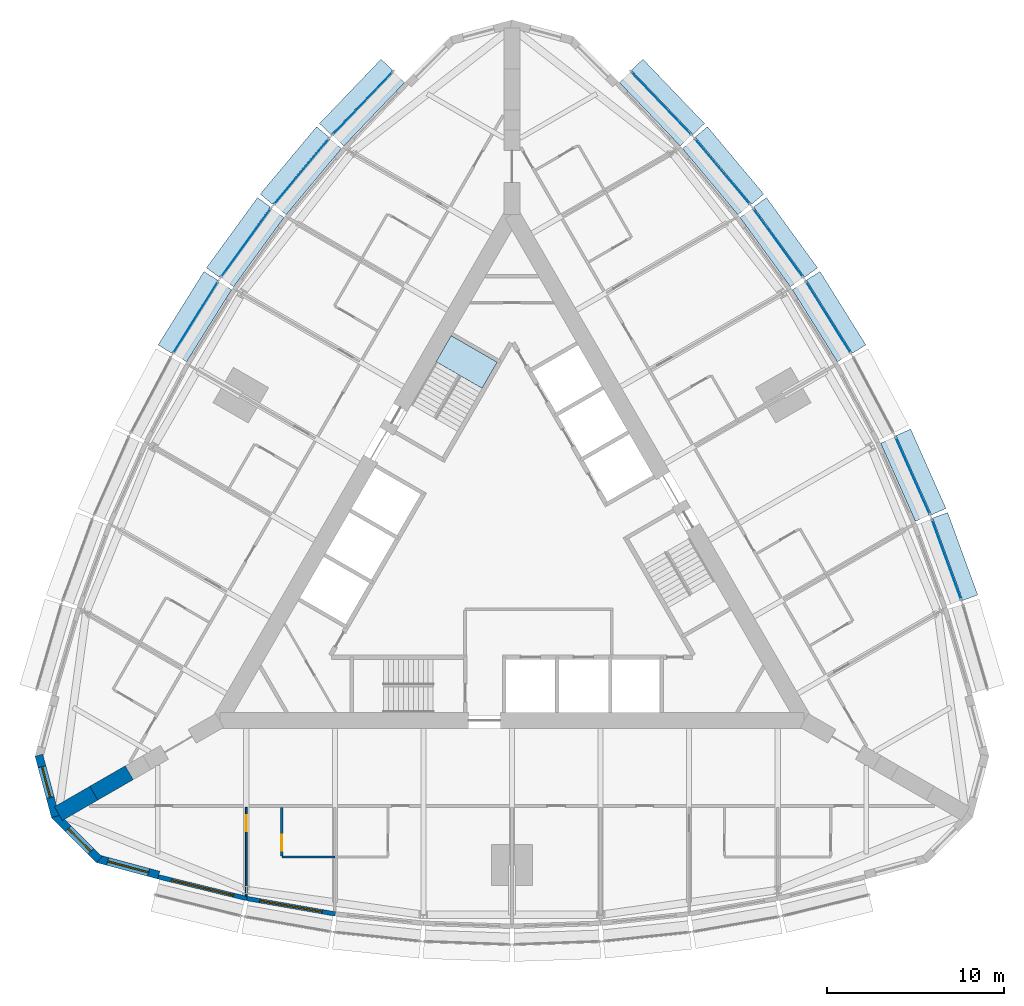
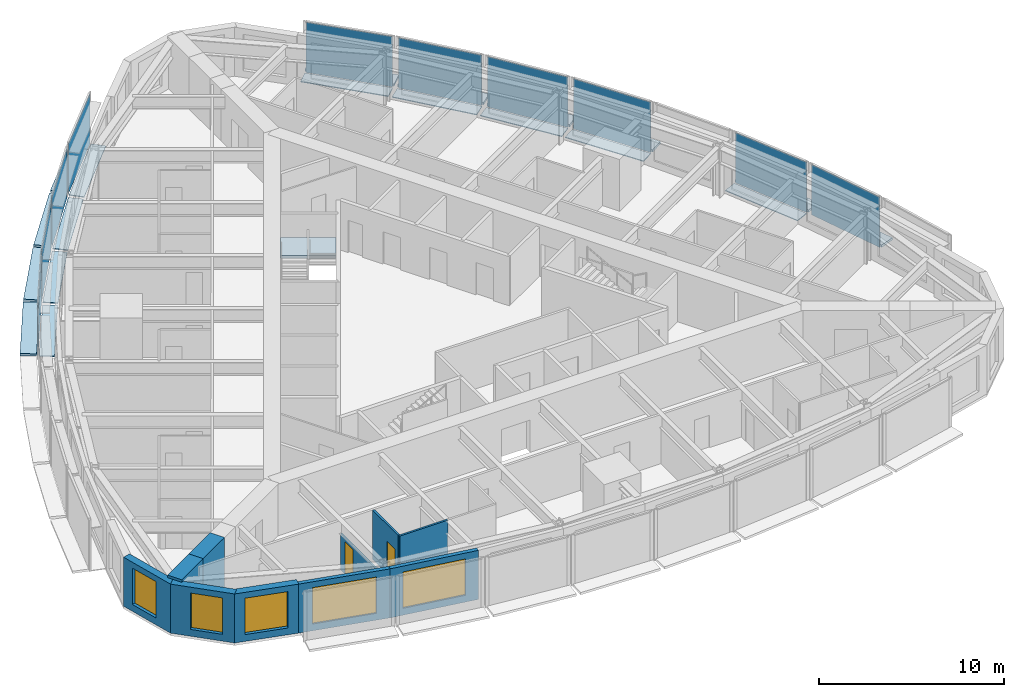
# One storey, part 7 of 14: 29 plates, 10 walls, 5 windows, 2 doors, 1 slab, 7 openings, 11 elements without a shape of their own.
"""IFC4 building model written with IfcOpenShell, lengths in metres."""

from ifc_helpers import new_model, si_unit, direction, frame, frame_2d, origin, origin_2d, place, context, subcontext, project, spatial, polyline, rectangle, outline, extrude, material, layer, layer_set, type_object, element, fill, aggregate, save


model = new_model("IFC4")

# Units and contexts
model_context = context("Model", 3, precision=1e-05, world=origin(), true_north=direction((0.0, 1.0)))
body_context = subcontext(model_context, "Body", "Model", "MODEL_VIEW")
ifc_project = project(units=[si_unit("LENGTHUNIT", "METRE"), si_unit("AREAUNIT", "SQUARE_METRE"), si_unit("VOLUMEUNIT", "CUBIC_METRE"), si_unit("PLANEANGLEUNIT", "RADIAN"), si_unit("MASSUNIT", "GRAM", prefix="KILO")], contexts=[model_context])

# Site, building, storey
site_placement = place(None, origin())
site = spatial("IfcSite", under=ifc_project, at=site_placement, CompositionType="ELEMENT")
building_placement = place(site_placement, origin())
building = spatial("IfcBuilding", under=site, at=building_placement, Name="Trikona Tower", CompositionType="ELEMENT")
storey_placement = place(building_placement, frame((0.0, 0.0, 182.699951171875)))
storey = spatial("IfcBuildingStorey", under=building, at=storey_placement, Name="L49", CompositionType="ELEMENT", Elevation=182.699951171875)

# Plates
ifc_material_1 = material(Name="Aluminium bar grating", Category="aluminium")
ifc_layer_1 = layer(ifc_material_1, 0.050048828125)
ifc_layer_set_1 = layer_set([ifc_layer_1], Name="Cavity catwalk grating")
plate_type_1 = type_object("IfcPlateType", Name="Cavity catwalk grating", PredefinedType="USERDEFINED", material=ifc_layer_set_1)
plate_1_placement = place(storey_placement, frame((22.175048828125, 4.092529296875, -0.0498046875), z_axis=(0.0, 0.0, 1.0), x_axis=(-0.406843467615, 0.913497888809, 0.0)))
element("IfcPlate", 1, at=plate_1_placement, inside=storey, type_object=plate_type_1, Name="Cavity catwalk L49-14", ObjectType="CATWALK GRATING", PredefinedType="USERDEFINED", context=body_context, shape_type="SweptSolid", body=[
    extrude(rectangle(XDim=4.827392578125, YDim=0.830078125, at=origin_2d()), origin(), (0.0, 0.0, 1.0), 0.050048828125),
])
plate_2_placement = place(storey_placement, frame((17.450927734375, 12.978759765625, -0.0498046875), z_axis=(0.0, 0.0, 1.0), x_axis=(-0.529994748414, 0.848000923734, 0.0)))
element("IfcPlate", 2, at=plate_2_placement, inside=storey, type_object=plate_type_1, Name="Cavity catwalk L49-16", ObjectType="CATWALK GRATING", PredefinedType="USERDEFINED", context=body_context, shape_type="SweptSolid", body=[
    extrude(rectangle(XDim=4.802978515625, YDim=0.830078125, at=origin_2d()), origin(), (0.0, 0.0, 1.0), 0.050048828125),
])
plate_3_placement = place(storey_placement, frame((14.6318359375, 17.157958984375, -0.0498046875), z_axis=(0.0, 0.0, 1.0), x_axis=(-0.587686407834, 0.809088799853, 0.0)))
element("IfcPlate", 3, at=plate_3_placement, inside=storey, type_object=plate_type_1, Name="Cavity catwalk L49-17", ObjectType="CATWALK GRATING", PredefinedType="USERDEFINED", context=body_context, shape_type="SweptSolid", body=[
    extrude(rectangle(XDim=4.827392578125, YDim=0.830078125, at=origin_2d()), origin(), (0.0, 0.0, 1.0), 0.050048828125),
])
plate_4_placement = place(storey_placement, frame((11.508056640625, 21.160400390625, -0.0498046875), z_axis=(0.0, 0.0, 1.0), x_axis=(-0.641807063101, 0.766866151133, 0.0)))
element("IfcPlate", 4, at=plate_4_placement, inside=storey, type_object=plate_type_1, Name="Cavity catwalk L49-18", ObjectType="CATWALK GRATING", PredefinedType="USERDEFINED", context=body_context, shape_type="SweptSolid", body=[
    extrude(rectangle(XDim=4.8759765625, YDim=0.830078125, at=origin_2d()), origin(), (0.0, 0.0, 1.0), 0.050048828125),
])
for number, where, z_axis, x_axis, name in (
    (5, (8.080078125, 24.986328125, -0.0498046875), (0.0, 0.0, 1.0), (-0.691723573819, 0.722162376078, 0.0), "Cavity catwalk L49-19"),
    (6, (-8.080078125, 24.986328125, -0.0498046875), (0.0, 0.0, 1.0), (-0.691723573819, -0.722162376078, 0.0), "Cavity catwalk L49-24"),
):
    element("IfcPlate", number, at=place(storey_placement, frame(where, z_axis=z_axis, x_axis=x_axis)), inside=storey, type_object=plate_type_1, Name=name, ObjectType="CATWALK GRATING", PredefinedType="USERDEFINED", context=body_context, shape_type="SweptSolid", body=[
        extrude(rectangle(XDim=4.947998046875, YDim=0.830078125, at=origin_2d()), origin(), (0.0, 0.0, 1.0), 0.050048828125),
    ])
plate_5_placement = place(storey_placement, frame((-11.508056640625, 21.160400390625, -0.0498046875), z_axis=(0.0, 0.0, 1.0), x_axis=(-0.641807063101, -0.766866151133, 0.0)))
element("IfcPlate", 7, at=plate_5_placement, inside=storey, type_object=plate_type_1, Name="Cavity catwalk L49-25", ObjectType="CATWALK GRATING", PredefinedType="USERDEFINED", context=body_context, shape_type="SweptSolid", body=[
    extrude(rectangle(XDim=4.8759765625, YDim=0.830078125, at=origin_2d()), origin(), (0.0, 0.0, 1.0), 0.050048828125),
])
plate_6_placement = place(storey_placement, frame((-14.6318359375, 17.157958984375, -0.0498046875), z_axis=(0.0, 0.0, 1.0), x_axis=(-0.587686407834, -0.809088799853, 0.0)))
element("IfcPlate", 8, at=plate_6_placement, inside=storey, type_object=plate_type_1, Name="Cavity catwalk L49-26", ObjectType="CATWALK GRATING", PredefinedType="USERDEFINED", context=body_context, shape_type="SweptSolid", body=[
    extrude(rectangle(XDim=4.827392578125, YDim=0.830078125, at=origin_2d()), origin(), (0.0, 0.0, 1.0), 0.050048828125),
])
plate_7_placement = place(storey_placement, frame((-17.450927734375, 12.978759765625, -0.0498046875), z_axis=(0.0, 0.0, 1.0), x_axis=(-0.529994748414, -0.848000923734, 0.0)))
element("IfcPlate", 9, at=plate_7_placement, inside=storey, type_object=plate_type_1, Name="Cavity catwalk L49-27", ObjectType="CATWALK GRATING", PredefinedType="USERDEFINED", context=body_context, shape_type="SweptSolid", body=[
    extrude(rectangle(XDim=4.802978515625, YDim=0.830078125, at=origin_2d()), origin(), (0.0, 0.0, 1.0), 0.050048828125),
])

# Curtain wall, plate
ifc_material_2 = material(Name="Aluminium curtain wall system", Category="aluminium")
curtain_wall_type = type_object("IfcCurtainWallType", Name="Curtain wall DS2", PredefinedType="NOTDEFINED", material=ifc_material_2)
curtain_wall_1_placement = place(storey_placement, origin())
curtain_wall_1 = element("IfcCurtainWall", 10, at=curtain_wall_1_placement, inside=storey, type_object=curtain_wall_type, Name="Curtain wall DS2 L49", PredefinedType="NOTDEFINED")
ifc_material_3 = material(Name="Laminated clear glass", Category="glass")
ifc_layer_2 = layer(ifc_material_3, 0.028076171875)
ifc_layer_set_2 = layer_set([ifc_layer_2], Name="Glass panel DS2")
plate_type_2 = type_object("IfcPlateType", Name="Glass panel DS2", PredefinedType="CURTAIN_PANEL", material=ifc_layer_set_2)
plate_8_placement = place(storey_placement, frame((24.53515625, -0.447509765625, 0.0), z_axis=(0.0, 0.0, 1.0), x_axis=(-0.343223420143, 0.939253790978, 0.0)))
plate_8 = element("IfcPlate", 11, at=plate_8_placement, type_object=plate_type_2, Name="CW-DS2 panel 1.1", PredefinedType="CURTAIN_PANEL", context=body_context, shape_type="SweptSolid", body=[
    extrude(rectangle(XDim=4.7958984375, YDim=0.028076171875, at=origin_2d()), origin(), (0.0, 0.0, 1.0), 3.320068359375),
])
aggregate(curtain_wall_1, [plate_8])

curtain_wall_2_placement = place(storey_placement, origin())
curtain_wall_2 = element("IfcCurtainWall", 12, at=curtain_wall_2_placement, inside=storey, type_object=curtain_wall_type, Name="Curtain wall DS2 L49", PredefinedType="NOTDEFINED")
plate_9_placement = place(storey_placement, frame((22.6181640625, 4.289794921875, 0.0), z_axis=(0.0, 0.0, 1.0), x_axis=(-0.406836013132, 0.913501208767, 0.0)))
plate_9 = element("IfcPlate", 13, at=plate_9_placement, type_object=plate_type_2, Name="CW-DS2 panel 1.1", PredefinedType="CURTAIN_PANEL", context=body_context, shape_type="SweptSolid", body=[
    extrude(rectangle(XDim=4.747314453125, YDim=0.028076171875, at=origin_2d()), origin(), (0.0, 0.0, 1.0), 3.320068359375),
])
aggregate(curtain_wall_2, [plate_9])

curtain_wall_3_placement = place(storey_placement, origin())
curtain_wall_3 = element("IfcCurtainWall", 14, at=curtain_wall_3_placement, inside=storey, type_object=curtain_wall_type, Name="Curtain wall DS2 L49", PredefinedType="NOTDEFINED")
plate_10_placement = place(storey_placement, frame((17.8623046875, 13.23583984375, 0.0), z_axis=(0.0, 0.0, 1.0), x_axis=(-0.529998940002, 0.847998304006, 0.0)))
plate_10 = element("IfcPlate", 15, at=plate_10_placement, type_object=plate_type_2, Name="CW-DS2 panel 1.1", PredefinedType="CURTAIN_PANEL", context=body_context, shape_type="SweptSolid", body=[
    extrude(rectangle(XDim=4.72314453125, YDim=0.028076171875, at=origin_2d()), origin(), (0.0, 0.0, 1.0), 3.320068359375),
])
aggregate(curtain_wall_3, [plate_10])

curtain_wall_4_placement = place(storey_placement, origin())
curtain_wall_4 = element("IfcCurtainWall", 16, at=curtain_wall_4_placement, inside=storey, type_object=curtain_wall_type, Name="Curtain wall DS2 L49", PredefinedType="NOTDEFINED")
plate_11_placement = place(storey_placement, frame((15.024169921875, 17.443115234375, 0.0), z_axis=(0.0, 0.0, 1.0), x_axis=(-0.587690588313, 0.80908576332, 0.0)))
plate_11 = element("IfcPlate", 17, at=plate_11_placement, type_object=plate_type_2, Name="CW-DS2 panel 1.1", PredefinedType="CURTAIN_PANEL", context=body_context, shape_type="SweptSolid", body=[
    extrude(rectangle(XDim=4.74755859375, YDim=0.028076171875, at=origin_2d()), origin(), (0.0, 0.0, 1.0), 3.320068359375),
])
aggregate(curtain_wall_4, [plate_11])

curtain_wall_5_placement = place(storey_placement, origin())
curtain_wall_5 = element("IfcCurtainWall", 18, at=curtain_wall_5_placement, inside=storey, type_object=curtain_wall_type, Name="Curtain wall DS2 L49", PredefinedType="NOTDEFINED")
plate_12_placement = place(storey_placement, frame((11.8798828125, 21.4716796875, 0.0), z_axis=(0.0, 0.0, 1.0), x_axis=(-0.641806433248, 0.766866678271, 0.0)))
plate_12 = element("IfcPlate", 19, at=plate_12_placement, type_object=plate_type_2, Name="CW-DS2 panel 1.1", PredefinedType="CURTAIN_PANEL", context=body_context, shape_type="SweptSolid", body=[
    extrude(rectangle(XDim=4.7958984375, YDim=0.028076171875, at=origin_2d()), origin(), (0.0, 0.0, 1.0), 3.320068359375),
])
aggregate(curtain_wall_5, [plate_12])

curtain_wall_6_placement = place(storey_placement, origin())
curtain_wall_6 = element("IfcCurtainWall", 20, at=curtain_wall_6_placement, inside=storey, type_object=curtain_wall_type, Name="Curtain wall DS2 L49", PredefinedType="NOTDEFINED")
plate_13_placement = place(storey_placement, frame((8.430419921875, 25.32177734375, 0.0), z_axis=(0.0, 0.0, 1.0), x_axis=(-0.691727797117, 0.722158330767, 0.0)))
plate_13 = element("IfcPlate", 21, at=plate_13_placement, type_object=plate_type_2, Name="CW-DS2 panel 1.1", PredefinedType="CURTAIN_PANEL", context=body_context, shape_type="SweptSolid", body=[
    extrude(rectangle(XDim=4.867919921875, YDim=0.028076171875, at=origin_2d()), origin(), (0.0, 0.0, 1.0), 3.320068359375),
])
aggregate(curtain_wall_6, [plate_13])

curtain_wall_7_placement = place(storey_placement, origin())
curtain_wall_7 = element("IfcCurtainWall", 22, at=curtain_wall_7_placement, inside=storey, type_object=curtain_wall_type, Name="Curtain wall DS2 L49", PredefinedType="NOTDEFINED")
plate_14_placement = place(storey_placement, frame((-8.430419921875, 25.32177734375, 0.0), z_axis=(0.0, 0.0, 1.0), x_axis=(-0.691727797117, -0.722158330767, 0.0)))
plate_14 = element("IfcPlate", 23, at=plate_14_placement, type_object=plate_type_2, Name="CW-DS2 panel 1.1", PredefinedType="CURTAIN_PANEL", context=body_context, shape_type="SweptSolid", body=[
    extrude(rectangle(XDim=4.867919921875, YDim=0.028076171875, at=origin_2d()), origin(), (0.0, 0.0, 1.0), 3.320068359375),
])
aggregate(curtain_wall_7, [plate_14])

curtain_wall_8_placement = place(storey_placement, origin())
curtain_wall_8 = element("IfcCurtainWall", 24, at=curtain_wall_8_placement, inside=storey, type_object=curtain_wall_type, Name="Curtain wall DS2 L49", PredefinedType="NOTDEFINED")
plate_15_placement = place(storey_placement, frame((-11.8798828125, 21.4716796875, 0.0), z_axis=(0.0, 0.0, 1.0), x_axis=(-0.641806433248, -0.766866678271, 0.0)))
plate_15 = element("IfcPlate", 25, at=plate_15_placement, type_object=plate_type_2, Name="CW-DS2 panel 1.1", PredefinedType="CURTAIN_PANEL", context=body_context, shape_type="SweptSolid", body=[
    extrude(rectangle(XDim=4.7958984375, YDim=0.028076171875, at=origin_2d()), origin(), (0.0, 0.0, 1.0), 3.320068359375),
])
aggregate(curtain_wall_8, [plate_15])

curtain_wall_9_placement = place(storey_placement, origin())
curtain_wall_9 = element("IfcCurtainWall", 26, at=curtain_wall_9_placement, inside=storey, type_object=curtain_wall_type, Name="Curtain wall DS2 L49", PredefinedType="NOTDEFINED")
plate_16_placement = place(storey_placement, frame((-15.024169921875, 17.443115234375, 0.0), z_axis=(0.0, 0.0, 1.0), x_axis=(-0.587690588313, -0.80908576332, 0.0)))
plate_16 = element("IfcPlate", 27, at=plate_16_placement, type_object=plate_type_2, Name="CW-DS2 panel 1.1", PredefinedType="CURTAIN_PANEL", context=body_context, shape_type="SweptSolid", body=[
    extrude(rectangle(XDim=4.74755859375, YDim=0.028076171875, at=origin_2d()), origin(), (0.0, 0.0, 1.0), 3.320068359375),
])
aggregate(curtain_wall_9, [plate_16])

curtain_wall_10_placement = place(storey_placement, origin())
curtain_wall_10 = element("IfcCurtainWall", 28, at=curtain_wall_10_placement, inside=storey, type_object=curtain_wall_type, Name="Curtain wall DS2 L49", PredefinedType="NOTDEFINED")
plate_17_placement = place(storey_placement, frame((-17.8623046875, 13.23583984375, 0.0), z_axis=(0.0, 0.0, 1.0), x_axis=(-0.529998940002, -0.847998304006, 0.0)))
plate_17 = element("IfcPlate", 29, at=plate_17_placement, type_object=plate_type_2, Name="CW-DS2 panel 1.1", PredefinedType="CURTAIN_PANEL", context=body_context, shape_type="SweptSolid", body=[
    extrude(rectangle(XDim=4.72314453125, YDim=0.028076171875, at=origin_2d()), origin(), (0.0, 0.0, 1.0), 3.320068359375),
])
aggregate(curtain_wall_10, [plate_17])

# Plates
ifc_material_4 = material(Name="Aluminium plate fin, pale anodised, on stainless steel outriggers", Category="steel")
ifc_layer_3 = layer(ifc_material_4, 0.14990234375)
ifc_layer_set_3 = layer_set([ifc_layer_3], Name="Outer skin fin 900")
plate_type_3 = type_object("IfcPlateType", Name="Outer skin fin 900", PredefinedType="USERDEFINED", material=ifc_layer_set_3)
plate_18_placement = place(storey_placement, frame((25.0234375, -0.26904296875, 0.0), z_axis=(0.0, 0.0, 1.0), x_axis=(-0.343220397324, 0.939254895575, 0.0)))
element("IfcPlate", 30, at=plate_18_placement, inside=storey, type_object=plate_type_3, Name="Outer skin fin L49-13", ObjectType="FIN", PredefinedType="USERDEFINED", context=body_context, shape_type="SweptSolid", body=[
    extrude(rectangle(XDim=4.9560546875, YDim=0.89990234375, at=origin_2d()), origin(), (0.0, 0.0, 1.0), 0.14990234375),
])
plate_19_placement = place(storey_placement, frame((23.09326171875, 4.50146484375, 0.0), z_axis=(0.0, 0.0, 1.0), x_axis=(-0.406843467615, 0.913497888809, 0.0)))
element("IfcPlate", 31, at=plate_19_placement, inside=storey, type_object=plate_type_3, Name="Outer skin fin L49-14", ObjectType="FIN", PredefinedType="USERDEFINED", context=body_context, shape_type="SweptSolid", body=[
    extrude(rectangle(XDim=4.907470703125, YDim=0.89990234375, at=origin_2d()), origin(), (0.0, 0.0, 1.0), 0.14990234375),
])
plate_20_placement = place(storey_placement, frame((18.30322265625, 13.511474609375, 0.0), z_axis=(0.0, 0.0, 1.0), x_axis=(-0.529994748414, 0.848000923734, 0.0)))
element("IfcPlate", 32, at=plate_20_placement, inside=storey, type_object=plate_type_3, Name="Outer skin fin L49-16", ObjectType="FIN", PredefinedType="USERDEFINED", context=body_context, shape_type="SweptSolid", body=[
    extrude(rectangle(XDim=4.883056640625, YDim=0.89990234375, at=origin_2d()), origin(), (0.0, 0.0, 1.0), 0.14990234375),
])
plate_21_placement = place(storey_placement, frame((15.44482421875, 17.74853515625, 0.0), z_axis=(0.0, 0.0, 1.0), x_axis=(-0.587686407834, 0.809088799853, 0.0)))
element("IfcPlate", 33, at=plate_21_placement, inside=storey, type_object=plate_type_3, Name="Outer skin fin L49-17", ObjectType="FIN", PredefinedType="USERDEFINED", context=body_context, shape_type="SweptSolid", body=[
    extrude(rectangle(XDim=4.907470703125, YDim=0.89990234375, at=origin_2d()), origin(), (0.0, 0.0, 1.0), 0.14990234375),
])
plate_22_placement = place(storey_placement, frame((12.27880859375, 21.8056640625, 0.0), z_axis=(0.0, 0.0, 1.0), x_axis=(-0.641807063101, 0.766866151133, 0.0)))
element("IfcPlate", 34, at=plate_22_placement, inside=storey, type_object=plate_type_3, Name="Outer skin fin L49-18", ObjectType="FIN", PredefinedType="USERDEFINED", context=body_context, shape_type="SweptSolid", body=[
    extrude(rectangle(XDim=4.9560546875, YDim=0.89990234375, at=origin_2d()), origin(), (0.0, 0.0, 1.0), 0.14990234375),
])
for number, where, z_axis, x_axis, name in (
    (35, (8.805908203125, 25.681396484375, 0.0), (0.0, 0.0, 1.0), (-0.691723573819, 0.722162376078, 0.0), "Outer skin fin L49-19"),
    (36, (-8.805908203125, 25.681396484375, 0.0), (0.0, 0.0, 1.0), (-0.691723573819, -0.722162376078, 0.0), "Outer skin fin L49-24"),
):
    element("IfcPlate", number, at=place(storey_placement, frame(where, z_axis=z_axis, x_axis=x_axis)), inside=storey, type_object=plate_type_3, Name=name, ObjectType="FIN", PredefinedType="USERDEFINED", context=body_context, shape_type="SweptSolid", body=[
        extrude(rectangle(XDim=5.02783203125, YDim=0.89990234375, at=origin_2d()), origin(), (0.0, 0.0, 1.0), 0.14990234375),
    ])
plate_23_placement = place(storey_placement, frame((-12.27880859375, 21.8056640625, 0.0), z_axis=(0.0, 0.0, 1.0), x_axis=(-0.641807063101, -0.766866151133, 0.0)))
element("IfcPlate", 37, at=plate_23_placement, inside=storey, type_object=plate_type_3, Name="Outer skin fin L49-25", ObjectType="FIN", PredefinedType="USERDEFINED", context=body_context, shape_type="SweptSolid", body=[
    extrude(rectangle(XDim=4.9560546875, YDim=0.89990234375, at=origin_2d()), origin(), (0.0, 0.0, 1.0), 0.14990234375),
])
plate_24_placement = place(storey_placement, frame((-15.44482421875, 17.74853515625, 0.0), z_axis=(0.0, 0.0, 1.0), x_axis=(-0.587686407834, -0.809088799853, 0.0)))
element("IfcPlate", 38, at=plate_24_placement, inside=storey, type_object=plate_type_3, Name="Outer skin fin L49-26", ObjectType="FIN", PredefinedType="USERDEFINED", context=body_context, shape_type="SweptSolid", body=[
    extrude(rectangle(XDim=4.907470703125, YDim=0.89990234375, at=origin_2d()), origin(), (0.0, 0.0, 1.0), 0.14990234375),
])
plate_25_placement = place(storey_placement, frame((-18.30322265625, 13.511474609375, 0.0), z_axis=(0.0, 0.0, 1.0), x_axis=(-0.529994748414, -0.848000923734, 0.0)))
element("IfcPlate", 39, at=plate_25_placement, inside=storey, type_object=plate_type_3, Name="Outer skin fin L49-27", ObjectType="FIN", PredefinedType="USERDEFINED", context=body_context, shape_type="SweptSolid", body=[
    extrude(rectangle(XDim=4.883056640625, YDim=0.89990234375, at=origin_2d()), origin(), (0.0, 0.0, 1.0), 0.14990234375),
])

# Stair, slab
ifc_material_5 = material(Name="Concrete f'c 5000 psi", Category="concrete")
stair_type = type_object("IfcStairType", Name="Core stair", PredefinedType="HALF_TURN_STAIR", material=ifc_material_5)
stair_placement = place(storey_placement, origin())
stair = element("IfcStair", 40, at=stair_placement, inside=storey, type_object=stair_type, Name="Stair C L49", PredefinedType="HALF_TURN_STAIR")
ifc_material_6 = material(Name="Concrete f'c 5000 psi", Category="concrete")
ifc_layer_4 = layer(ifc_material_6, 0.199951171875)
ifc_layer_set_4 = layer_set([ifc_layer_4], Name="Stair landing 200")
slab_type = type_object("IfcSlabType", Name="Stair landing 200", PredefinedType="LANDING", material=ifc_layer_set_4)
slab_placement = place(storey_placement, frame((0.0, 0.0, 1.5)))
slab = element("IfcSlab", 41, at=slab_placement, type_object=slab_type, Name="ST-C landing 2", PredefinedType="LANDING", context=body_context, shape_type="SweptSolid", body=[
    extrude(outline(polyline([(-0.837158203125, 10.702392578125), (-1.688720703125, 9.2275390625), (-4.286865234375, 10.7275390625), (-3.435302734375, 12.202392578125), (-0.837158203125, 10.702392578125)])), origin(), (0.0, 0.0, 1.0), 0.199951171875),
])
aggregate(stair, [slab])

# Wall
ifc_material_7 = material(Name="Metal stud and cement board", Category="gypsum")
ifc_layer_5 = layer(ifc_material_7, 0.1201171875)
ifc_layer_set_5 = layer_set([ifc_layer_5], Name="Bathroom wall 120")
wall_type_1 = type_object("IfcWallType", Name="Bathroom wall 120", PredefinedType="PLUMBINGWALL", material=ifc_layer_set_5)
wall_1_placement = place(storey_placement, frame((-13.0, -17.226318359375, 0.0), z_axis=(0.0, 0.0, 1.0), x_axis=(1.0, 0.0, 0.0)))
element("IfcWall", 42, at=wall_1_placement, inside=storey, type_object=wall_type_1, Name="Bathroom wall 4901.1", PredefinedType="PLUMBINGWALL", context=body_context, shape_type="SweptSolid", body=[
    extrude(rectangle(XDim=3.0, YDim=0.1201171875, at=frame_2d((1.5, 0.0))), origin(), (0.0, 0.0, 1.0), 3.235107421875),
])

# Wall, opening, door
wall_2_placement = place(storey_placement, frame((-13.0, -14.42626953125, 0.0), z_axis=(0.0, 0.0, 1.0), x_axis=(0.0, -1.0, 0.0)))
wall_2 = element("IfcWall", 43, at=wall_2_placement, inside=storey, type_object=wall_type_1, Name="Bathroom wall 4901.1", PredefinedType="PLUMBINGWALL", context=body_context, shape_type="SweptSolid", body=[
    extrude(rectangle(XDim=2.739990234375, YDim=0.1201171875, at=frame_2d((1.3701171875, 0.0))), origin(), (0.0, 0.0, 1.0), 3.235107421875),
])
opening_1_placement = place(wall_2_placement, frame((1.550048828125, 0.0, 0.0)))
opening_1 = element("IfcOpeningElement", 44, at=opening_1_placement, cuts=wall_2, Name="Opening D2", PredefinedType="OPENING", context=body_context, shape_type="SweptSolid", body=[
    extrude(rectangle(XDim=0.89990234375, YDim=2.1298828125, at=frame_2d((0.449951171875, 1.06494140625))), frame((0.0, 0.070068359375, 0.0), z_axis=(0.0, -1.0, 0.0), x_axis=(1.0, 0.0, 0.0)), (0.0, 0.0, 1.0), 0.14013671875),
])
ifc_material_8 = material(Name="Steel door frame with solid-core timber leaf", Category="steel")
door_type_1 = type_object("IfcDoorType", Name="Bathroom door 900x2130", OperationType="SLIDING_TO_LEFT", PredefinedType="DOOR", material=ifc_material_8)
door_1_placement = place(opening_1_placement, origin())
door_1 = element("IfcDoor", 45, at=door_1_placement, inside=storey, type_object=door_type_1, Name="Bathroom door 4901.1", OperationType="SLIDING_TO_LEFT", OverallHeight=2.1298828125, OverallWidth=0.89990234375, PredefinedType="DOOR", context=body_context, shape_type="SweptSolid", body=[
    extrude(rectangle(XDim=0.89990234375, YDim=2.1298828125, at=frame_2d((0.449951171875, 1.06494140625))), frame((0.0, 0.02490234375, 0.0), z_axis=(0.0, -1.0, 0.0), x_axis=(1.0, 0.0, 0.0)), (0.0, 0.0, 1.0), 0.050048828125),
])
fill(opening_1, door_1)

# Wall, opening, window
ifc_material_9 = material(Name="Brick-faced precast concrete", Category="masonry")
ifc_layer_6 = layer(ifc_material_9, 0.449951171875)
ifc_layer_set_6 = layer_set([ifc_layer_6], Name="Brick-faced corner wall 450")
wall_type_2 = type_object("IfcWallType", Name="Brick-faced corner wall 450", PredefinedType="SOLIDWALL", material=ifc_layer_set_6)
wall_3_placement = place(storey_placement, frame((-26.7109375, -11.48876953125, 0.0), z_axis=(0.0, 0.0, 1.0), x_axis=(0.258823421857, -0.965924653531, 0.0)))
wall_3 = element("IfcWall", 46, at=wall_3_placement, inside=storey, type_object=wall_type_2, Name="External wall L49-33", PredefinedType="SOLIDWALL", context=body_context, shape_type="SweptSolid", body=[
    extrude(outline(polyline([(3.58642578125, 0.22509765625), (3.52685546875, 0.22509765625), (3.03515625, 0.09326171875), (3.0, 0.22509765625), (0.0, 0.22509765625), (0.0, -0.22509765625), (3.58642578125, -0.22509765625), (3.58642578125, 0.22509765625)])), origin(), (0.0, 0.0, 1.0), 3.235107421875),
])
opening_2_placement = place(wall_3_placement, frame((0.6748046875, 0.0, 0.449951171875)))
opening_2 = element("IfcOpeningElement", 47, at=opening_2_placement, cuts=wall_3, Name="Opening W1824", PredefinedType="OPENING", context=body_context, shape_type="SweptSolid", body=[
    extrude(rectangle(XDim=1.800048828125, YDim=2.39990234375, at=frame_2d((0.89990234375, 1.199951171875))), frame((0.0, 0.23486328125, 0.0), z_axis=(0.0, -1.0, 0.0), x_axis=(1.0, 0.0, 0.0)), (0.0, 0.0, 1.0), 0.469970703125),
])
ifc_material_10 = material(Name="Aluminium-framed double glazing", Category="aluminium")
window_type_1 = type_object("IfcWindowType", Name="Window 1800x2400", PartitioningType="SINGLE_PANEL", PredefinedType="WINDOW", material=ifc_material_10)
window_1_placement = place(opening_2_placement, origin())
window_1 = element("IfcWindow", 48, at=window_1_placement, inside=storey, type_object=window_type_1, Name="Window 4912", OverallHeight=2.39990234375, OverallWidth=1.800048828125, PartitioningType="SINGLE_PANEL", PredefinedType="WINDOW", context=body_context, shape_type="SweptSolid", body=[
    extrude(rectangle(XDim=1.800048828125, YDim=2.39990234375, at=frame_2d((0.89990234375, 1.199951171875))), frame((0.0, 0.030029296875, 0.0), z_axis=(0.0, -1.0, 0.0), x_axis=(1.0, 0.0, 0.0)), (0.0, 0.0, 1.0), 0.06005859375),
])
fill(opening_2, window_1)

wall_4_placement = place(storey_placement, frame((-25.8408203125, -14.85205078125, 0.0), z_axis=(0.0, 0.0, 1.0), x_axis=(0.707106781187, -0.707106781187, 0.0)))
wall_4 = element("IfcWall", 49, at=wall_4_placement, inside=storey, type_object=wall_type_2, Name="External wall L49-34", PredefinedType="SOLIDWALL", context=body_context, shape_type="SweptSolid", body=[
    extrude(outline(polyline([(3.586181640625, 0.22509765625), (0.58642578125, 0.22509765625), (0.551025390625, 0.09326171875), (0.05908203125, 0.22509765625), (0.0, 0.22509765625), (0.0, -0.22509765625), (3.586181640625, -0.22509765625), (3.586181640625, 0.22509765625)])), origin(), (0.0, 0.0, 1.0), 3.235107421875),
])
opening_3_placement = place(wall_4_placement, frame((1.111328125, 0.0, 0.449951171875)))
opening_3 = element("IfcOpeningElement", 50, at=opening_3_placement, cuts=wall_4, Name="Opening W1824", PredefinedType="OPENING", context=body_context, shape_type="SweptSolid", body=[
    extrude(rectangle(XDim=1.800048828125, YDim=2.39990234375, at=frame_2d((0.89990234375, 1.199951171875))), frame((0.0, 0.23486328125, 0.0), z_axis=(0.0, -1.0, 0.0), x_axis=(1.0, 0.0, 0.0)), (0.0, 0.0, 1.0), 0.469970703125),
])
window_2_placement = place(opening_3_placement, origin())
window_2 = element("IfcWindow", 51, at=window_2_placement, inside=storey, type_object=window_type_1, Name="Window 4901", OverallHeight=2.39990234375, OverallWidth=1.800048828125, PartitioningType="SINGLE_PANEL", PredefinedType="WINDOW", context=body_context, shape_type="SweptSolid", body=[
    extrude(rectangle(XDim=1.800048828125, YDim=2.39990234375, at=frame_2d((0.89990234375, 1.199951171875))), frame((0.0, 0.030029296875, 0.0), z_axis=(0.0, -1.0, 0.0), x_axis=(1.0, 0.0, 0.0)), (0.0, 0.0, 1.0), 0.06005859375),
])
fill(opening_3, window_2)

wall_5_placement = place(storey_placement, frame((-23.406005859375, -17.32958984375, 0.0), z_axis=(0.0, 0.0, 1.0), x_axis=(0.965924653531, -0.258823421857, 0.0)))
wall_5 = element("IfcWall", 52, at=wall_5_placement, inside=storey, type_object=wall_type_2, Name="External wall L49-35", PredefinedType="SOLIDWALL", context=body_context, shape_type="SweptSolid", body=[
    extrude(rectangle(XDim=3.58642578125, YDim=0.449951171875, at=frame_2d((1.793212890625, 0.0))), origin(), (0.0, 0.0, 1.0), 3.235107421875),
])
opening_4_placement = place(wall_5_placement, frame((0.593017578125, 0.0, 0.449951171875)))
opening_4 = element("IfcOpeningElement", 53, at=opening_4_placement, cuts=wall_5, Name="Opening W2424", PredefinedType="OPENING", context=body_context, shape_type="SweptSolid", body=[
    extrude(rectangle(XDim=2.39990234375, YDim=2.39990234375, at=frame_2d((1.199951171875, 1.199951171875))), frame((0.0, 0.23486328125, 0.0), z_axis=(0.0, -1.0, 0.0), x_axis=(1.0, 0.0, 0.0)), (0.0, 0.0, 1.0), 0.469970703125),
])
ifc_material_11 = material(Name="Aluminium-framed double glazing", Category="aluminium")
window_type_2 = type_object("IfcWindowType", Name="Window 2400x2400", PartitioningType="SINGLE_PANEL", PredefinedType="WINDOW", material=ifc_material_11)
window_3_placement = place(opening_4_placement, origin())
window_3 = element("IfcWindow", 54, at=window_3_placement, inside=storey, type_object=window_type_2, Name="Window 4901", OverallHeight=2.39990234375, OverallWidth=2.39990234375, PartitioningType="SINGLE_PANEL", PredefinedType="WINDOW", context=body_context, shape_type="SweptSolid", body=[
    extrude(rectangle(XDim=2.39990234375, YDim=2.39990234375, at=frame_2d((1.199951171875, 1.199951171875))), frame((0.0, 0.030029296875, 0.0), z_axis=(0.0, -1.0, 0.0), x_axis=(1.0, 0.0, 0.0)), (0.0, 0.0, 1.0), 0.06005859375),
])
fill(opening_4, window_3)

# Walls
ifc_material_12 = material(Name="Concrete f'c 10000 psi", Category="concrete")
ifc_layer_7 = layer(ifc_material_12, 0.89990234375)
ifc_layer_set_7 = layer_set([ifc_layer_7], Name="Buttress wall 900")
wall_type_3 = type_object("IfcWallType", Name="Buttress wall 900", PredefinedType="SHEAR", material=ifc_layer_set_7)
for number, where, z_axis, x_axis, name in (
    (55, (-21.6103515625, -12.476806640625, 0.0), (0.0, 0.0, 1.0), (-0.866055313784, -0.499948190782, 0.0), "Buttress wall 3 part 3"),
    (56, (-23.6103515625, -13.63134765625, 0.0), (0.0, 0.0, 1.0), (-0.866009537788, -0.500027479704, 0.0), "Buttress wall 3 part 4"),
):
    element("IfcWall", number, at=place(storey_placement, frame(where, z_axis=z_axis, x_axis=x_axis)), inside=storey, type_object=wall_type_3, Name=name, PredefinedType="SHEAR", context=body_context, shape_type="SweptSolid", body=[
        extrude(rectangle(XDim=2.309326171875, YDim=0.89990234375, at=frame_2d((1.15478515625, 0.0))), origin(), (0.0, 0.0, 1.0), 3.400146484375),
    ])

# Wall, opening, window
ifc_material_13 = material(Name="Insulated precast concrete spandrel panel", Category="concrete")
ifc_layer_8 = layer(ifc_material_13, 0.25)
ifc_layer_set_8 = layer_set([ifc_layer_8], Name="Inner skin wall 250")
wall_type_4 = type_object("IfcWallType", Name="Inner skin wall 250", PredefinedType="STANDARD", material=ifc_layer_set_8)
wall_6_placement = place(storey_placement, frame((-19.97021484375, -18.353759765625, 0.0), z_axis=(0.0, 0.0, 1.0), x_axis=(0.971270024053, -0.237980126011, 0.0)))
wall_6 = element("IfcWall", 57, at=wall_6_placement, inside=storey, type_object=wall_type_4, Name="External wall L49-00", PredefinedType="STANDARD", context=body_context, shape_type="SweptSolid", body=[
    extrude(rectangle(XDim=5.14794921875, YDim=0.25, at=frame_2d((2.573974609375, 0.0))), origin(), (0.0, 0.0, 1.0), 3.235107421875),
])
opening_5_placement = place(wall_6_placement, frame((0.77392578125, 0.0, 0.449951171875)))
opening_5 = element("IfcOpeningElement", 58, at=opening_5_placement, cuts=wall_6, Name="Opening W3624", PredefinedType="OPENING", context=body_context, shape_type="SweptSolid", body=[
    extrude(rectangle(XDim=3.60009765625, YDim=2.39990234375, at=frame_2d((1.800048828125, 1.199951171875))), frame((0.0, 0.135009765625, 0.0), z_axis=(0.0, -1.0, 0.0), x_axis=(1.0, 0.0, 0.0)), (0.0, 0.0, 1.0), 0.27001953125),
])
ifc_material_14 = material(Name="Aluminium-framed double glazing", Category="aluminium")
window_type_3 = type_object("IfcWindowType", Name="Window 3600x2400", PartitioningType="SINGLE_PANEL", PredefinedType="WINDOW", material=ifc_material_14)
window_4_placement = place(opening_5_placement, origin())
window_4 = element("IfcWindow", 59, at=window_4_placement, inside=storey, type_object=window_type_3, Name="Window 4901", OverallHeight=2.39990234375, OverallWidth=3.60009765625, PartitioningType="SINGLE_PANEL", PredefinedType="WINDOW", context=body_context, shape_type="SweptSolid", body=[
    extrude(rectangle(XDim=3.60009765625, YDim=2.39990234375, at=frame_2d((1.800048828125, 1.199951171875))), frame((0.0, 0.030029296875, 0.0), z_axis=(0.0, -1.0, 0.0), x_axis=(1.0, 0.0, 0.0)), (0.0, 0.0, 1.0), 0.06005859375),
])
fill(opening_5, window_4)

wall_7_placement = place(storey_placement, frame((-14.978515625, -19.5771484375, 0.0), z_axis=(0.0, 0.0, 1.0), x_axis=(0.985030467156, -0.172380331752, 0.0)))
wall_7 = element("IfcWall", 60, at=wall_7_placement, inside=storey, type_object=wall_type_4, Name="External wall L49-01", PredefinedType="STANDARD", context=body_context, shape_type="SweptSolid", body=[
    extrude(rectangle(XDim=5.075927734375, YDim=0.25, at=frame_2d((2.5380859375, 0.0))), origin(), (0.0, 0.0, 1.0), 3.235107421875),
])
opening_6_placement = place(wall_7_placement, frame((0.738037109375, 0.0, 0.449951171875)))
opening_6 = element("IfcOpeningElement", 61, at=opening_6_placement, cuts=wall_7, Name="Opening W3624", PredefinedType="OPENING", context=body_context, shape_type="SweptSolid", body=[
    extrude(rectangle(XDim=3.60009765625, YDim=2.39990234375, at=frame_2d((1.800048828125, 1.199951171875))), frame((0.0, 0.135009765625, 0.0), z_axis=(0.0, -1.0, 0.0), x_axis=(1.0, 0.0, 0.0)), (0.0, 0.0, 1.0), 0.27001953125),
])
window_5_placement = place(opening_6_placement, origin())
window_5 = element("IfcWindow", 62, at=window_5_placement, inside=storey, type_object=window_type_3, Name="Window 4901.1", OverallHeight=2.39990234375, OverallWidth=3.60009765625, PartitioningType="SINGLE_PANEL", PredefinedType="WINDOW", context=body_context, shape_type="SweptSolid", body=[
    extrude(rectangle(XDim=3.60009765625, YDim=2.39990234375, at=frame_2d((1.800048828125, 1.199951171875))), frame((0.0, 0.030029296875, 0.0), z_axis=(0.0, -1.0, 0.0), x_axis=(1.0, 0.0, 0.0)), (0.0, 0.0, 1.0), 0.06005859375),
])
fill(opening_6, window_5)

# Wall, opening, door
ifc_material_15 = material(Name="Metal stud and gypsum board, acoustic", Category="gypsum")
ifc_layer_9 = layer(ifc_material_15, 0.10009765625)
ifc_layer_set_9 = layer_set([ifc_layer_9], Name="Suite partition 100")
wall_type_5 = type_object("IfcWallType", Name="Suite partition 100", PredefinedType="PARTITIONING", material=ifc_layer_set_9)
wall_8_placement = place(storey_placement, frame((-15.0, -14.42626953125, 0.0), z_axis=(0.0, 0.0, 1.0), x_axis=(0.0, -1.0, 0.0)))
wall_8 = element("IfcWall", 63, at=wall_8_placement, inside=storey, type_object=wall_type_5, Name="Suite partition L49 F1 u-15", PredefinedType="PARTITIONING", context=body_context, shape_type="SweptSolid", body=[
    extrude(rectangle(XDim=5.0166015625, YDim=0.10009765625, at=frame_2d((2.50830078125, 0.0))), origin(), (0.0, 0.0, 1.0), 2.38916015625),
])
opening_7_placement = place(wall_8_placement, frame((0.449951171875, 0.0, 0.0)))
opening_7 = element("IfcOpeningElement", 64, at=opening_7_placement, cuts=wall_8, Name="Opening D13", PredefinedType="OPENING", context=body_context, shape_type="SweptSolid", body=[
    extrude(rectangle(XDim=0.89990234375, YDim=2.1298828125, at=frame_2d((0.449951171875, 1.06494140625))), frame((0.0, 0.06005859375, 0.0), z_axis=(0.0, -1.0, 0.0), x_axis=(1.0, 0.0, 0.0)), (0.0, 0.0, 1.0), 0.1201171875),
])
ifc_material_16 = material(Name="Steel door frame with solid-core timber leaf", Category="steel")
door_type_2 = type_object("IfcDoorType", Name="Suite door 900x2130", OperationType="SINGLE_SWING_LEFT", PredefinedType="DOOR", material=ifc_material_16)
door_2_placement = place(opening_7_placement, origin())
door_2 = element("IfcDoor", 65, at=door_2_placement, inside=storey, type_object=door_type_2, Name="Suite door 4901", OperationType="SINGLE_SWING_LEFT", OverallHeight=2.1298828125, OverallWidth=0.89990234375, PredefinedType="DOOR", context=body_context, shape_type="SweptSolid", body=[
    extrude(rectangle(XDim=0.89990234375, YDim=2.1298828125, at=frame_2d((0.449951171875, 1.06494140625))), frame((0.0, 0.02490234375, 0.0), z_axis=(0.0, -1.0, 0.0), x_axis=(1.0, 0.0, 0.0)), (0.0, 0.0, 1.0), 0.050048828125),
])
fill(opening_7, door_2)

save(model, "model.ifc")
